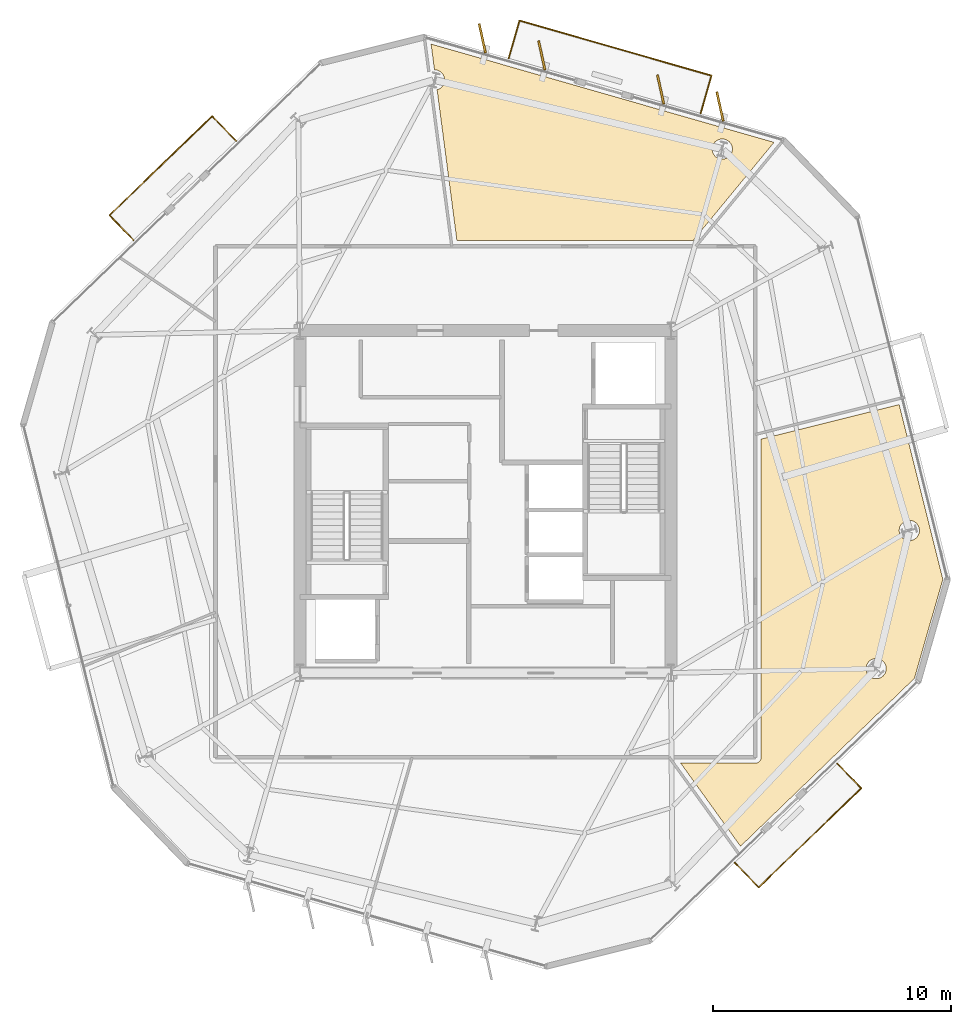
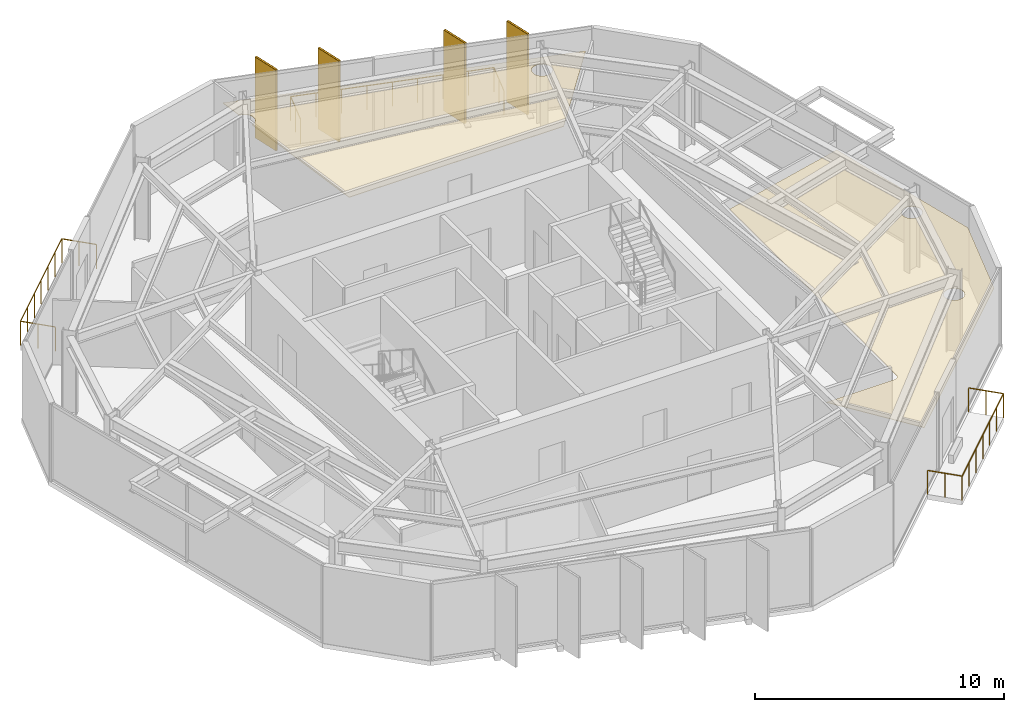
# One storey, part 10 of 10: 6 coverings, 4 shading devices, 3 railings.
"""IFC4 building model written with IfcOpenShell, lengths in metres."""

import ifcopenshell
import ifcopenshell.guid

model = None  # the IFC model being written
_history = None  # IfcOwnerHistory: only IFC2X3 demands one
_inside = {}  # id of a spatial element -> (the spatial element, [elements in it])
_under = {}  # id of a project, library or spatial element -> (it, [spatial elements below it])
_declared = {}  # id of a project -> (the project, [libraries it declares])
_typed = {}  # id of a type object -> (the type object, [elements of that type])
_made_of = {}  # id of a material, layer set ... -> (it, [elements and type objects made of it])


def new_model(schema):
    """Start an empty IFC model of exactly this schema.

    Asked for "IFC4X3", IfcOpenShell would pick the latest addendum, in which some entities
    have other attributes; the version numbers below select the first issue.
    IFC2X3 requires an IfcOwnerHistory on every rooted entity: one is made here for all.
    """
    global model, _history
    if schema == "IFC4X3":
        model = ifcopenshell.file(schema_version=(4, 3, 0, 0))
    else:
        model = ifcopenshell.file(schema=schema)
    _inside.clear()
    _under.clear()
    _declared.clear()
    _typed.clear()
    _made_of.clear()
    _history = None
    if model.schema == "IFC2X3":
        org = make("IfcOrganization", Name="unknown")
        user = make(
            "IfcPersonAndOrganization",
            ThePerson=make("IfcPerson", FamilyName="unknown"),
            TheOrganization=org,
        )
        app = make(
            "IfcApplication",
            ApplicationDeveloper=org,
            Version="unknown",
            ApplicationFullName="unknown",
            ApplicationIdentifier="unknown",
        )
        _history = make(
            "IfcOwnerHistory",
            OwningUser=user,
            OwningApplication=app,
            ChangeAction="ADDED",
            CreationDate=0,
        )
    return model


def make(cls, **values):
    """One entity of the class cls with the attributes given. An attribute that is None is left unset."""
    return model.create_entity(
        cls, **{name: value for name, value in values.items() if value is not None}
    )


def rooted(cls, **values):
    """An entity with a GlobalId (a new one), such as an element, a storey or a relation."""
    return make(cls, GlobalId=ifcopenshell.guid.new(), OwnerHistory=_history, **values)


def si_unit(unit_type, name, prefix=None):
    """IfcSIUnit, for example si_unit("LENGTHUNIT", "METRE", prefix="MILLI")."""
    return make("IfcSIUnit", UnitType=unit_type, Prefix=prefix, Name=name)


def assignment(units):
    """IfcUnitAssignment: the units of a project."""
    return None if units is None else make("IfcUnitAssignment", Units=units)


def point(xyz):
    """IfcCartesianPoint."""
    return None if xyz is None else make("IfcCartesianPoint", Coordinates=xyz)


def direction(xyz):
    """IfcDirection."""
    return None if xyz is None else make("IfcDirection", DirectionRatios=xyz)


def frame(location, z_axis=None, x_axis=None):
    """IfcAxis2Placement3D, a coordinate frame: its origin and axes. An axis left out is left unset."""
    return make(
        "IfcAxis2Placement3D",
        Location=point(location),
        Axis=direction(z_axis),
        RefDirection=direction(x_axis),
    )


def frame_2d(location, x_axis=None):
    """IfcAxis2Placement2D, a coordinate frame in the plane: its origin and x axis."""
    return make(
        "IfcAxis2Placement2D", Location=point(location), RefDirection=direction(x_axis)
    )


def origin():
    """The frame at (0, 0, 0) with its axes left unset."""
    return frame((0.0, 0.0, 0.0))


def origin_2d():
    """The frame at (0, 0) in the plane with its x axis left unset."""
    return frame_2d((0.0, 0.0))


def place(relative_to, where):
    """IfcLocalPlacement: puts the frame where relative to a parent placement (None: the world)."""
    return make(
        "IfcLocalPlacement", PlacementRelTo=relative_to, RelativePlacement=where
    )


def context(
    kind, dimensions, precision=None, world=None, true_north=None, identifier=None
):
    """IfcGeometricRepresentationContext, for example the 3D "Model" context."""
    return make(
        "IfcGeometricRepresentationContext",
        ContextIdentifier=identifier,
        ContextType=kind,
        CoordinateSpaceDimension=dimensions,
        Precision=precision,
        WorldCoordinateSystem=world,
        TrueNorth=true_north,
    )


def subcontext(parent, identifier, kind, view, scale=None):
    """IfcGeometricRepresentationSubContext, for example "Body" below "Model"."""
    return make(
        "IfcGeometricRepresentationSubContext",
        ContextIdentifier=identifier,
        ContextType=kind,
        ParentContext=parent,
        TargetScale=scale,
        TargetView=view,
    )


def project(units=None, contexts=None):
    """IfcProject with its units and contexts."""
    return rooted(
        "IfcProject",
        Name="project",
        RepresentationContexts=contexts,
        UnitsInContext=assignment(units),
    )


def spatial(cls, under=None, at=None, **own):
    """A site, building, storey or space (cls), placed at a placement, below another one or the project."""
    s = rooted(cls, ObjectPlacement=at, **own)
    if under is not None:
        _under.setdefault(under.id(), (under, []))[1].append(s)
    return s


def polyline(points):
    """IfcPolyline through the points."""
    return make("IfcPolyline", Points=[point(p) for p in points])


def profile(cls, at=None, kind="AREA", **sizes):
    """A parametric profile (cls). Its sizes go by their IFC names, for example OverallWidth=200.0."""
    return make(cls, ProfileType=kind, Position=at, **sizes)


def rectangle(**sizes):
    """IfcRectangleProfileDef."""
    return profile("IfcRectangleProfileDef", **sizes)


def circle(**sizes):
    """IfcCircleProfileDef."""
    return profile("IfcCircleProfileDef", **sizes)


def outline(outer, holes=None, kind="AREA"):
    """IfcArbitraryClosedProfileDef: a profile drawn as a closed curve; with holes, ...WithVoids."""
    if holes is None:
        return make("IfcArbitraryClosedProfileDef", ProfileType=kind, OuterCurve=outer)
    return make(
        "IfcArbitraryProfileDefWithVoids",
        ProfileType=kind,
        OuterCurve=outer,
        InnerCurves=holes,
    )


def extrude(swept, where, along, depth):
    """IfcExtrudedAreaSolid: the profile swept, set in the frame where, extruded along a direction by depth."""
    return make(
        "IfcExtrudedAreaSolid",
        SweptArea=swept,
        Position=where,
        ExtrudedDirection=direction(along),
        Depth=depth,
    )


def shape(context_of_items, identifier, shape_type, items):
    """IfcShapeRepresentation: the items that make up one representation, for example the "Body"."""
    return make(
        "IfcShapeRepresentation",
        ContextOfItems=context_of_items,
        RepresentationIdentifier=identifier,
        RepresentationType=shape_type,
        Items=items,
    )


def material(Name=None, Category=None):
    """IfcMaterial."""
    return make("IfcMaterial", Name=Name, Category=Category)


def layer(
    of_material, thickness, ventilated=None, Name=None, Category=None, Priority=None
):
    """IfcMaterialLayer: one layer of a wall or slab, of a material (None: an air gap)."""
    return make(
        "IfcMaterialLayer",
        Material=of_material,
        LayerThickness=thickness,
        IsVentilated=ventilated,
        Name=Name,
        Category=Category,
        Priority=Priority,
    )


def layer_set(layers, Name=None):
    """IfcMaterialLayerSet."""
    return make("IfcMaterialLayerSet", MaterialLayers=layers, LayerSetName=Name)


def made_of(thing, what):
    """Note that an element or type object is made of a material, layer set ...; save() writes the relation."""
    if what is not None:
        _made_of.setdefault(what.id(), (what, []))[1].append(thing)
    return thing


def type_object(cls, material=None, **own):
    """A type object (cls), such as IfcWallType, which elements share."""
    return made_of(rooted(cls, **own), material)


def element(
    cls,
    number,
    at=None,
    inside=None,
    cuts=None,
    type_object=None,
    material=None,
    context=None,
    identifier="Body",
    shape_type=None,
    held_by="IfcProductDefinitionShape",
    body=None,
    shapes=None,
    **own,
):
    """One element of the class cls, such as IfcWall. Its Tag is "e" and its number.

    at: its placement. inside: the storey or other place that contains it. cuts: it is an
    opening in that element (IfcRelVoidsElement). A single representation is given by context,
    identifier, shape_type and body (its items); several are given by shapes. held_by: the class
    of the entity that holds the representations. save() writes the other relations.
    """
    e = rooted(cls, Tag="e%d" % number, ObjectPlacement=at, **own)
    if body is not None:
        shapes = [shape(context, identifier, shape_type, body)]
    if shapes is not None:
        e.Representation = make(held_by, Representations=shapes)
    if inside is not None:
        _inside.setdefault(inside.id(), (inside, []))[1].append(e)
    if cuts is not None:
        rooted(
            "IfcRelVoidsElement", RelatingBuildingElement=cuts, RelatedOpeningElement=e
        )
    if type_object is not None:
        _typed.setdefault(type_object.id(), (type_object, []))[1].append(e)
    return made_of(e, material)


def aggregate(whole, parts):
    """IfcRelAggregates: a whole, such as a stair, and the parts it consists of."""
    return rooted("IfcRelAggregates", RelatingObject=whole, RelatedObjects=parts)


def save(model, path):
    """Write the relations noted so far, then the file.

    IfcRelAggregates (storeys below a building ...), IfcRelContainedInSpatialStructure (elements
    in a storey), IfcRelDefinesByType, IfcRelAssociatesMaterial and IfcRelDeclares: one each for
    every whole, place, type object, material and project.
    """
    for whole, parts in _under.values():
        aggregate(whole, parts)
    for where, things in _inside.values():
        rooted(
            "IfcRelContainedInSpatialStructure",
            RelatedElements=things,
            RelatingStructure=where,
        )
    for kind, things in _typed.values():
        rooted("IfcRelDefinesByType", RelatedObjects=things, RelatingType=kind)
    for what, things in _made_of.values():
        rooted("IfcRelAssociatesMaterial", RelatedObjects=things, RelatingMaterial=what)
    for by, libraries in _declared.values():
        rooted("IfcRelDeclares", RelatingContext=by, RelatedDefinitions=libraries)
    model.write(path)


model = new_model("IFC4")

# Units and contexts
model_context = context("Model", 3, precision=1e-05, world=origin(), true_north=direction((0.0, 1.0)))
body_context = subcontext(model_context, "Body", "Model", "MODEL_VIEW")
ifc_project = project(units=[si_unit("LENGTHUNIT", "METRE"), si_unit("AREAUNIT", "SQUARE_METRE"), si_unit("VOLUMEUNIT", "CUBIC_METRE"), si_unit("PLANEANGLEUNIT", "RADIAN"), si_unit("MASSUNIT", "GRAM", prefix="KILO")], contexts=[model_context])

# Site, building, storey
site_placement = place(None, origin())
site = spatial("IfcSite", under=ifc_project, at=site_placement, CompositionType="ELEMENT")
building_placement = place(site_placement, origin())
building = spatial("IfcBuilding", under=site, at=building_placement, Name="Kranzbogen Civic Tower", CompositionType="ELEMENT")
storey_placement = place(building_placement, frame((0.0, 0.0, 200.800048828125)))
storey = spatial("IfcBuildingStorey", under=building, at=storey_placement, Name="L48", CompositionType="ELEMENT", Elevation=200.800048828125)

# Coverings
ifc_material_1 = material(Name="Pale Anodised Aluminium", Category="aluminium")
ifc_layer_1 = layer(ifc_material_1, 0.02490234375, Name="Pale Anodised Aluminium")
ifc_layer_set_1 = layer_set([ifc_layer_1], Name="Pale Anodised Aluminium")
covering_type_1 = type_object("IfcCoveringType", Name="Anodised Aluminium Vertical Fin Cladding 25 mm", PredefinedType="CLADDING", material=ifc_layer_set_1)
for number, where, z_axis, x_axis, name in (
    (1, (34.867919921875, 41.6240234375, -0.14013671875), (0.0, 0.0, 1.0), (-0.212586995139, 0.977142143957, 0.0), "L48 vertical fin pale-metal cladding F1-1"),
    (2, (32.368896484375, 42.341064453125, -0.14013671875), (0.0, 0.0, 1.0), (-0.212586995139, 0.977142143957, 0.0), "L48 vertical fin pale-metal cladding F1-2"),
    (3, (27.37109375, 43.77392578125, -0.14013671875), (0.0, 0.0, 1.0), (-0.212586995139, 0.977142143957, 0.0), "L48 vertical fin pale-metal cladding F1-4"),
    (4, (24.87109375, 44.490966796875, -0.14013671875), (0.0, 0.0, 1.0), (-0.212586995139, 0.977142143957, 0.0), "L48 vertical fin pale-metal cladding F1-5"),
):
    element("IfcCovering", number, at=place(storey_placement, frame(where, z_axis=z_axis, x_axis=x_axis)), inside=storey, type_object=covering_type_1, Name=name, PredefinedType="CLADDING", context=body_context, shape_type="SweptSolid", body=[
        extrude(rectangle(XDim=1.25, YDim=0.10009765625, at=origin_2d()), origin(), (0.0, 0.0, 1.0), 3.9599609375),
    ])

# Shading devices
ifc_material_2 = material(Name="Anodised Bronze Aluminium", Category="aluminium")
shading_device_type = type_object("IfcShadingDeviceType", Name="Anodised Bronze Vertical Facade Fin 1250x80", PredefinedType="USERDEFINED", material=ifc_material_2)
for number, where, z_axis, x_axis, name in (
    (5, (34.867919921875, 41.6240234375, -0.14013671875), (0.0, 0.0, 1.0), (-0.212586995139, 0.977142143957, 0.0), "L48 vertical exterior shading fin F1-1"),
    (6, (32.368896484375, 42.341064453125, -0.14013671875), (0.0, 0.0, 1.0), (-0.212586995139, 0.977142143957, 0.0), "L48 vertical exterior shading fin F1-2"),
    (7, (27.37109375, 43.77392578125, -0.14013671875), (0.0, 0.0, 1.0), (-0.212586995139, 0.977142143957, 0.0), "L48 vertical exterior shading fin F1-4"),
    (8, (24.87109375, 44.490966796875, -0.14013671875), (0.0, 0.0, 1.0), (-0.212586995139, 0.977142143957, 0.0), "L48 vertical exterior shading fin F1-5"),
):
    element("IfcShadingDevice", number, at=place(storey_placement, frame(where, z_axis=z_axis, x_axis=x_axis)), inside=storey, type_object=shading_device_type, Name=name, ObjectType="FIN", PredefinedType="USERDEFINED", context=body_context, shape_type="SweptSolid", body=[
        extrude(rectangle(XDim=1.25, YDim=0.080078125, at=origin_2d()), origin(), (0.0, 0.0, 1.0), 3.9599609375),
    ])

# Railings
railing_type = type_object("IfcRailingType", Name="Cantilevered Balcony Glass and Bronze Balustrade 1200", PredefinedType="BALUSTRADE", material=ifc_material_2)
railing_1_placement = place(storey_placement, frame((35.485107421875, 9.823974609375, 0.0)))
element("IfcRailing", 9, at=railing_1_placement, inside=storey, type_object=railing_type, Name="L48 exterior terrace balustrade L48-TB1", PredefinedType="BALUSTRADE", context=body_context, shape_type="SweptSolid", body=[
    extrude(circle(Radius=0.02392578125, at=origin_2d()), frame((0.0, 0.0, 1.17578125), z_axis=(0.694534400859, -0.719459495749, 0.0), x_axis=(0.719459495749, 0.694534400859, 0.0)), (0.0, 0.0, 1.0), 1.44970703125),
    extrude(circle(Radius=0.02392578125, at=origin_2d()), frame((1.0068359375, -1.04296875, 1.17578125), z_axis=(0.719348174146, 0.694649699023, 0.0), x_axis=(-0.694649699023, 0.719348174146, 0.0)), (0.0, 0.0, 1.0), 6.0),
    extrude(circle(Radius=0.02392578125, at=origin_2d()), frame((5.322998046875, 3.125, 1.17578125), z_axis=(-0.694621559732, 0.719375346224, 0.0), x_axis=(-0.719375346224, -0.694621559732, 0.0)), (0.0, 0.0, 1.0), 1.44970703125),
    extrude(circle(Radius=0.02099609375, at=origin_2d()), origin(), (0.0, 0.0, 1.0), 1.15185546875),
    extrude(circle(Radius=0.02099609375, at=origin_2d()), frame((0.50341796875, -0.521484375, 0.0)), (0.0, 0.0, 1.0), 1.15185546875),
    extrude(circle(Radius=0.02099609375, at=origin_2d()), frame((1.0068359375, -1.04296875, 0.0)), (0.0, 0.0, 1.0), 1.15185546875),
    extrude(circle(Radius=0.02099609375, at=origin_2d()), frame((1.72607421875, -0.348388671875, 0.0)), (0.0, 0.0, 1.0), 1.15185546875),
    extrude(circle(Radius=0.02099609375, at=origin_2d()), frame((2.445556640625, 0.346435546875, 0.0)), (0.0, 0.0, 1.0), 1.15185546875),
    extrude(circle(Radius=0.02099609375, at=origin_2d()), frame((3.1650390625, 1.041015625, 0.0)), (0.0, 0.0, 1.0), 1.15185546875),
    extrude(circle(Radius=0.02099609375, at=origin_2d()), frame((3.88427734375, 1.735595703125, 0.0)), (0.0, 0.0, 1.0), 1.15185546875),
    extrude(circle(Radius=0.02099609375, at=origin_2d()), frame((4.603515625, 2.430419921875, 0.0)), (0.0, 0.0, 1.0), 1.15185546875),
    extrude(circle(Radius=0.02099609375, at=origin_2d()), frame((5.322998046875, 3.125, 0.0)), (0.0, 0.0, 1.0), 1.15185546875),
    extrude(circle(Radius=0.02099609375, at=origin_2d()), frame((4.8193359375, 3.646484375, 0.0)), (0.0, 0.0, 1.0), 1.15185546875),
    extrude(circle(Radius=0.02099609375, at=origin_2d()), frame((4.31591796875, 4.16796875, 0.0)), (0.0, 0.0, 1.0), 1.15185546875),
])
railing_2_placement = place(storey_placement, frame((14.514892578125, 40.176025390625, 0.0)))
element("IfcRailing", 10, at=railing_2_placement, inside=storey, type_object=railing_type, Name="L48 exterior terrace balustrade L48-TB2", PredefinedType="BALUSTRADE", context=body_context, shape_type="SweptSolid", body=[
    extrude(circle(Radius=0.02392578125, at=origin_2d()), frame((0.0, 0.0, 1.17578125), z_axis=(-0.694534400859, 0.719459495749, 0.0), x_axis=(-0.719459495749, -0.694534400859, 0.0)), (0.0, 0.0, 1.0), 1.44970703125),
    extrude(circle(Radius=0.02392578125, at=origin_2d()), frame((-1.0068359375, 1.04296875, 1.17578125), z_axis=(-0.719348174146, -0.694649699023, 0.0), x_axis=(0.694649699023, -0.719348174146, 0.0)), (0.0, 0.0, 1.0), 6.0),
    extrude(circle(Radius=0.02392578125, at=origin_2d()), frame((-5.322998046875, -3.125, 1.17578125), z_axis=(0.694621559732, -0.719375346224, 0.0), x_axis=(0.719375346224, 0.694621559732, 0.0)), (0.0, 0.0, 1.0), 1.44970703125),
    extrude(circle(Radius=0.02099609375, at=origin_2d()), origin(), (0.0, 0.0, 1.0), 1.15185546875),
    extrude(circle(Radius=0.02099609375, at=origin_2d()), frame((-0.50341796875, 0.521484375, 0.0)), (0.0, 0.0, 1.0), 1.15185546875),
    extrude(circle(Radius=0.02099609375, at=origin_2d()), frame((-1.0068359375, 1.04296875, 0.0)), (0.0, 0.0, 1.0), 1.15185546875),
    extrude(circle(Radius=0.02099609375, at=origin_2d()), frame((-1.72607421875, 0.348388671875, 0.0)), (0.0, 0.0, 1.0), 1.15185546875),
    extrude(circle(Radius=0.02099609375, at=origin_2d()), frame((-2.445556640625, -0.346435546875, 0.0)), (0.0, 0.0, 1.0), 1.15185546875),
    extrude(circle(Radius=0.02099609375, at=origin_2d()), frame((-3.1650390625, -1.041015625, 0.0)), (0.0, 0.0, 1.0), 1.15185546875),
    extrude(circle(Radius=0.02099609375, at=origin_2d()), frame((-3.88427734375, -1.735595703125, 0.0)), (0.0, 0.0, 1.0), 1.15185546875),
    extrude(circle(Radius=0.02099609375, at=origin_2d()), frame((-4.603515625, -2.430419921875, 0.0)), (0.0, 0.0, 1.0), 1.15185546875),
    extrude(circle(Radius=0.02099609375, at=origin_2d()), frame((-5.322998046875, -3.125, 0.0)), (0.0, 0.0, 1.0), 1.15185546875),
    extrude(circle(Radius=0.02099609375, at=origin_2d()), frame((-4.8193359375, -3.646484375, 0.0)), (0.0, 0.0, 1.0), 1.15185546875),
    extrude(circle(Radius=0.02099609375, at=origin_2d()), frame((-4.31591796875, -4.16796875, 0.0)), (0.0, 0.0, 1.0), 1.15185546875),
])
railing_3_placement = place(storey_placement, frame((34.053955078125, 41.3369140625, 0.0)))
element("IfcRailing", 11, at=railing_3_placement, inside=storey, type_object=railing_type, Name="L48 exterior terrace balustrade L48-ST", PredefinedType="BALUSTRADE", context=body_context, shape_type="SweptSolid", body=[
    extrude(circle(Radius=0.02392578125, at=origin_2d()), frame((0.0, 0.0, 1.17578125), z_axis=(0.275776142874, 0.961221888547, 0.0), x_axis=(-0.961221888547, 0.275776142874, 0.0)), (0.0, 0.0, 1.0), 1.650146484375),
    extrude(circle(Radius=0.02392578125, at=origin_2d()), frame((0.455078125, 1.586181640625, 1.17578125), z_axis=(-0.961247091758, 0.275688281555, 0.0), x_axis=(-0.275688281555, -0.961247091758, 0.0)), (0.0, 0.0, 1.0), 8.400390625),
    extrude(circle(Radius=0.02392578125, at=origin_2d()), frame((-7.619873046875, 3.902099609375, 1.17578125), z_axis=(-0.275815366736, -0.96121063429, 0.0), x_axis=(0.96121063429, -0.275815366736, 0.0)), (0.0, 0.0, 1.0), 1.64990234375),
    extrude(circle(Radius=0.02099609375, at=origin_2d()), origin(), (0.0, 0.0, 1.0), 1.15185546875),
    extrude(circle(Radius=0.02099609375, at=origin_2d()), frame((0.2275390625, 0.79296875, 0.0)), (0.0, 0.0, 1.0), 1.15185546875),
    extrude(circle(Radius=0.02099609375, at=origin_2d()), frame((0.455078125, 1.586181640625, 0.0)), (0.0, 0.0, 1.0), 1.15185546875),
    extrude(circle(Radius=0.02099609375, at=origin_2d()), frame((-0.55419921875, 1.875732421875, 0.0)), (0.0, 0.0, 1.0), 1.15185546875),
    extrude(circle(Radius=0.02099609375, at=origin_2d()), frame((-1.563720703125, 2.1650390625, 0.0)), (0.0, 0.0, 1.0), 1.15185546875),
    extrude(circle(Radius=0.02099609375, at=origin_2d()), frame((-2.572998046875, 2.45458984375, 0.0)), (0.0, 0.0, 1.0), 1.15185546875),
    extrude(circle(Radius=0.02099609375, at=origin_2d()), frame((-3.58251953125, 2.744140625, 0.0)), (0.0, 0.0, 1.0), 1.15185546875),
    extrude(circle(Radius=0.02099609375, at=origin_2d()), frame((-4.591796875, 3.03369140625, 0.0)), (0.0, 0.0, 1.0), 1.15185546875),
    extrude(circle(Radius=0.02099609375, at=origin_2d()), frame((-5.60107421875, 3.3232421875, 0.0)), (0.0, 0.0, 1.0), 1.15185546875),
    extrude(circle(Radius=0.02099609375, at=origin_2d()), frame((-6.610595703125, 3.612548828125, 0.0)), (0.0, 0.0, 1.0), 1.15185546875),
    extrude(circle(Radius=0.02099609375, at=origin_2d()), frame((-7.619873046875, 3.902099609375, 0.0)), (0.0, 0.0, 1.0), 1.15185546875),
    extrude(circle(Radius=0.02099609375, at=origin_2d()), frame((-7.847412109375, 3.109130859375, 0.0)), (0.0, 0.0, 1.0), 1.15185546875),
    extrude(circle(Radius=0.02099609375, at=origin_2d()), frame((-8.074951171875, 2.316162109375, 0.0)), (0.0, 0.0, 1.0), 1.15185546875),
])

# Coverings
ifc_material_3 = material(Name="Perforated Acoustic Gypsum Ceiling")
ifc_layer_2 = layer(ifc_material_3, 0.02490234375, Name="Perforated Acoustic Gypsum Ceiling")
ifc_layer_set_2 = layer_set([ifc_layer_2], Name="Perforated Acoustic Gypsum Ceiling")
covering_type_2 = type_object("IfcCoveringType", Name="Perforated Acoustic Mineral Ceiling Tile 25 mm", PredefinedType="CEILING", material=ifc_layer_set_2)
covering_1_placement = place(storey_placement, frame((0.0, 0.0, 2.75)))
element("IfcCovering", 12, at=covering_1_placement, inside=storey, type_object=covering_type_2, Name="L48 Citizen Services Kiosk acoustic ceiling", PredefinedType="CEILING", context=body_context, shape_type="SweptSolid", body=[
    extrude(outline(polyline([(43.044921875, 17.575927734375), (35.72900390625, 10.510986328125), (33.214111328125, 14.0048828125), (36.35009765625, 14.0048828125), (36.35888671875, 14.0048828125), (36.364990234375, 14.006103515625), (36.383056640625, 14.007080078125), (36.388916015625, 14.008056640625), (36.406005859375, 14.011962890625), (36.4130859375, 14.012939453125), (36.429931640625, 14.01806640625), (36.43603515625, 14.02001953125), (36.451904296875, 14.027099609375), (36.4580078125, 14.030029296875), (36.472900390625, 14.0380859375), (36.47900390625, 14.0419921875), (36.492919921875, 14.051025390625), (36.498046875, 14.054931640625), (36.511962890625, 14.06591796875), (36.51708984375, 14.071044921875), (36.529052734375, 14.0830078125), (36.533935546875, 14.087890625), (36.544921875, 14.10205078125), (36.549072265625, 14.10693359375), (36.55810546875, 14.12109375), (36.56201171875, 14.126953125), (36.570068359375, 14.14208984375), (36.572998046875, 14.14794921875), (36.580078125, 14.1640625), (36.58203125, 14.169921875), (36.5869140625, 14.18701171875), (36.587890625, 14.194091796875), (36.592041015625, 14.2109375), (36.593017578125, 14.217041015625), (36.593994140625, 14.235107421875), (36.594970703125, 14.240966796875), (36.594970703125, 14.25), (36.594970703125, 27.637939453125), (42.403076171875, 29.0869140625), (44.237060546875, 21.73388671875), (43.044921875, 17.575927734375)]), holes=[polyline([(41.825927734375, 17.821044921875), (41.80810546875, 17.782958984375), (41.787109375, 17.748046875), (41.761962890625, 17.714111328125), (41.73388671875, 17.68310546875), (41.702880859375, 17.655029296875), (41.6689453125, 17.6298828125), (41.634033203125, 17.60888671875), (41.595947265625, 17.591064453125), (41.556884765625, 17.576904296875), (41.51611328125, 17.56689453125), (41.47509765625, 17.56103515625), (41.43310546875, 17.55908203125), (41.39111328125, 17.56103515625), (41.35009765625, 17.56689453125), (41.30908203125, 17.576904296875), (41.27001953125, 17.591064453125), (41.23193359375, 17.60888671875), (41.197021484375, 17.6298828125), (41.1630859375, 17.655029296875), (41.132080078125, 17.68310546875), (41.10400390625, 17.714111328125), (41.0791015625, 17.748046875), (41.05810546875, 17.782958984375), (41.0400390625, 17.821044921875), (41.02587890625, 17.860107421875), (41.01611328125, 17.90087890625), (41.010009765625, 17.94189453125), (41.008056640625, 17.98388671875), (41.010009765625, 18.02587890625), (41.01611328125, 18.06689453125), (41.02587890625, 18.10791015625), (41.0400390625, 18.14697265625), (41.05810546875, 18.18505859375), (41.0791015625, 18.219970703125), (41.10400390625, 18.25390625), (41.132080078125, 18.284912109375), (41.1630859375, 18.31298828125), (41.197021484375, 18.337890625), (41.23193359375, 18.35888671875), (41.27001953125, 18.376953125), (41.30908203125, 18.39111328125), (41.35009765625, 18.40087890625), (41.39111328125, 18.406982421875), (41.43310546875, 18.408935546875), (41.47509765625, 18.406982421875), (41.51611328125, 18.40087890625), (41.556884765625, 18.39111328125), (41.595947265625, 18.376953125), (41.634033203125, 18.35888671875), (41.6689453125, 18.337890625), (41.702880859375, 18.31298828125), (41.73388671875, 18.284912109375), (41.761962890625, 18.25390625), (41.787109375, 18.219970703125), (41.80810546875, 18.18505859375), (41.825927734375, 18.14697265625), (41.840087890625, 18.10791015625), (41.85009765625, 18.06689453125), (41.85595703125, 18.02587890625), (41.85791015625, 17.98388671875), (41.85595703125, 17.94189453125), (41.85009765625, 17.90087890625), (41.840087890625, 17.860107421875), (41.825927734375, 17.821044921875)]), polyline([(43.220947265625, 23.6279296875), (43.202880859375, 23.590087890625), (43.181884765625, 23.554931640625), (43.156982421875, 23.52099609375), (43.12890625, 23.489990234375), (43.097900390625, 23.4619140625), (43.06396484375, 23.43701171875), (43.029052734375, 23.416015625), (42.990966796875, 23.39794921875), (42.951904296875, 23.384033203125), (42.910888671875, 23.3740234375), (42.8701171875, 23.367919921875), (42.827880859375, 23.365966796875), (42.785888671875, 23.367919921875), (42.7451171875, 23.3740234375), (42.7041015625, 23.384033203125), (42.6650390625, 23.39794921875), (42.626953125, 23.416015625), (42.592041015625, 23.43701171875), (42.55810546875, 23.4619140625), (42.527099609375, 23.489990234375), (42.4990234375, 23.52099609375), (42.47412109375, 23.554931640625), (42.452880859375, 23.590087890625), (42.43505859375, 23.6279296875), (42.4208984375, 23.6669921875), (42.410888671875, 23.7080078125), (42.405029296875, 23.7490234375), (42.403076171875, 23.791015625), (42.405029296875, 23.8330078125), (42.410888671875, 23.8740234375), (42.4208984375, 23.9150390625), (42.43505859375, 23.9541015625), (42.452880859375, 23.991943359375), (42.47412109375, 24.027099609375), (42.4990234375, 24.06103515625), (42.527099609375, 24.092041015625), (42.55810546875, 24.1201171875), (42.592041015625, 24.14501953125), (42.626953125, 24.166015625), (42.6650390625, 24.18408203125), (42.7041015625, 24.197998046875), (42.7451171875, 24.2080078125), (42.785888671875, 24.214111328125), (42.827880859375, 24.216064453125), (42.8701171875, 24.214111328125), (42.910888671875, 24.2080078125), (42.951904296875, 24.197998046875), (42.990966796875, 24.18408203125), (43.029052734375, 24.166015625), (43.06396484375, 24.14501953125), (43.097900390625, 24.1201171875), (43.12890625, 24.092041015625), (43.156982421875, 24.06103515625), (43.181884765625, 24.027099609375), (43.202880859375, 23.991943359375), (43.220947265625, 23.9541015625), (43.235107421875, 23.9150390625), (43.2451171875, 23.8740234375), (43.2509765625, 23.8330078125), (43.2529296875, 23.791015625), (43.2509765625, 23.7490234375), (43.2451171875, 23.7080078125), (43.235107421875, 23.6669921875), (43.220947265625, 23.6279296875)])]), origin(), (0.0, 0.0, 1.0), 0.02490234375),
])
covering_2_placement = place(storey_placement, frame((0.0, 0.0, 2.75)))
element("IfcCovering", 13, at=covering_2_placement, inside=storey, type_object=covering_type_2, Name="L48 Licensing Information Kiosk acoustic ceiling", PredefinedType="CEILING", context=body_context, shape_type="SweptSolid", body=[
    extrude(outline(polyline([(33.742919921875, 35.9951171875), (23.801025390625, 35.9951171875), (22.968994140625, 42.3291015625), (22.98388671875, 42.3330078125), (23.02294921875, 42.346923828125), (23.06103515625, 42.364990234375), (23.095947265625, 42.385986328125), (23.1298828125, 42.410888671875), (23.160888671875, 42.43896484375), (23.18896484375, 42.469970703125), (23.214111328125, 42.50390625), (23.235107421875, 42.5390625), (23.2529296875, 42.576904296875), (23.26708984375, 42.615966796875), (23.277099609375, 42.656982421875), (23.282958984375, 42.697998046875), (23.284912109375, 42.739990234375), (23.282958984375, 42.781982421875), (23.277099609375, 42.822998046875), (23.26708984375, 42.864013671875), (23.2529296875, 42.903076171875), (23.235107421875, 42.94091796875), (23.214111328125, 42.97607421875), (23.18896484375, 43.010009765625), (23.160888671875, 43.041015625), (23.1298828125, 43.069091796875), (23.095947265625, 43.093994140625), (23.06103515625, 43.114990234375), (23.02294921875, 43.133056640625), (22.98388671875, 43.14697265625), (22.943115234375, 43.156982421875), (22.902099609375, 43.1630859375), (22.860107421875, 43.1650390625), (22.85888671875, 43.1650390625), (22.716064453125, 44.25), (37.137939453125, 40.114990234375), (33.742919921875, 35.9951171875)]), holes=[polyline([(35.35400390625, 39.672119140625), (35.3359375, 39.634033203125), (35.31494140625, 39.59912109375), (35.2900390625, 39.56494140625), (35.261962890625, 39.533935546875), (35.23095703125, 39.506103515625), (35.197021484375, 39.48095703125), (35.162109375, 39.4599609375), (35.1240234375, 39.44189453125), (35.0849609375, 39.427978515625), (35.0439453125, 39.41796875), (35.0029296875, 39.412109375), (34.9609375, 39.409912109375), (34.9189453125, 39.412109375), (34.8779296875, 39.41796875), (34.8369140625, 39.427978515625), (34.798095703125, 39.44189453125), (34.760009765625, 39.4599609375), (34.72509765625, 39.48095703125), (34.69091796875, 39.506103515625), (34.659912109375, 39.533935546875), (34.632080078125, 39.56494140625), (34.60693359375, 39.59912109375), (34.5859375, 39.634033203125), (34.568115234375, 39.672119140625), (34.553955078125, 39.7109375), (34.5439453125, 39.751953125), (34.5380859375, 39.79296875), (34.535888671875, 39.8349609375), (34.5380859375, 39.876953125), (34.5439453125, 39.91796875), (34.553955078125, 39.958984375), (34.568115234375, 39.998046875), (34.5859375, 40.035888671875), (34.60693359375, 40.071044921875), (34.632080078125, 40.10498046875), (34.659912109375, 40.135986328125), (34.69091796875, 40.1640625), (34.72509765625, 40.18896484375), (34.760009765625, 40.2099609375), (34.798095703125, 40.22802734375), (34.8369140625, 40.241943359375), (34.8779296875, 40.251953125), (34.9189453125, 40.258056640625), (34.9609375, 40.260009765625), (35.0029296875, 40.258056640625), (35.0439453125, 40.251953125), (35.0849609375, 40.241943359375), (35.1240234375, 40.22802734375), (35.162109375, 40.2099609375), (35.197021484375, 40.18896484375), (35.23095703125, 40.1640625), (35.261962890625, 40.135986328125), (35.2900390625, 40.10498046875), (35.31494140625, 40.071044921875), (35.3359375, 40.035888671875), (35.35400390625, 39.998046875), (35.367919921875, 39.958984375), (35.3779296875, 39.91796875), (35.384033203125, 39.876953125), (35.385986328125, 39.8349609375), (35.384033203125, 39.79296875), (35.3779296875, 39.751953125), (35.367919921875, 39.7109375), (35.35400390625, 39.672119140625)])]), origin(), (0.0, 0.0, 1.0), 0.02490234375),
])

save(model, "model.ifc")
